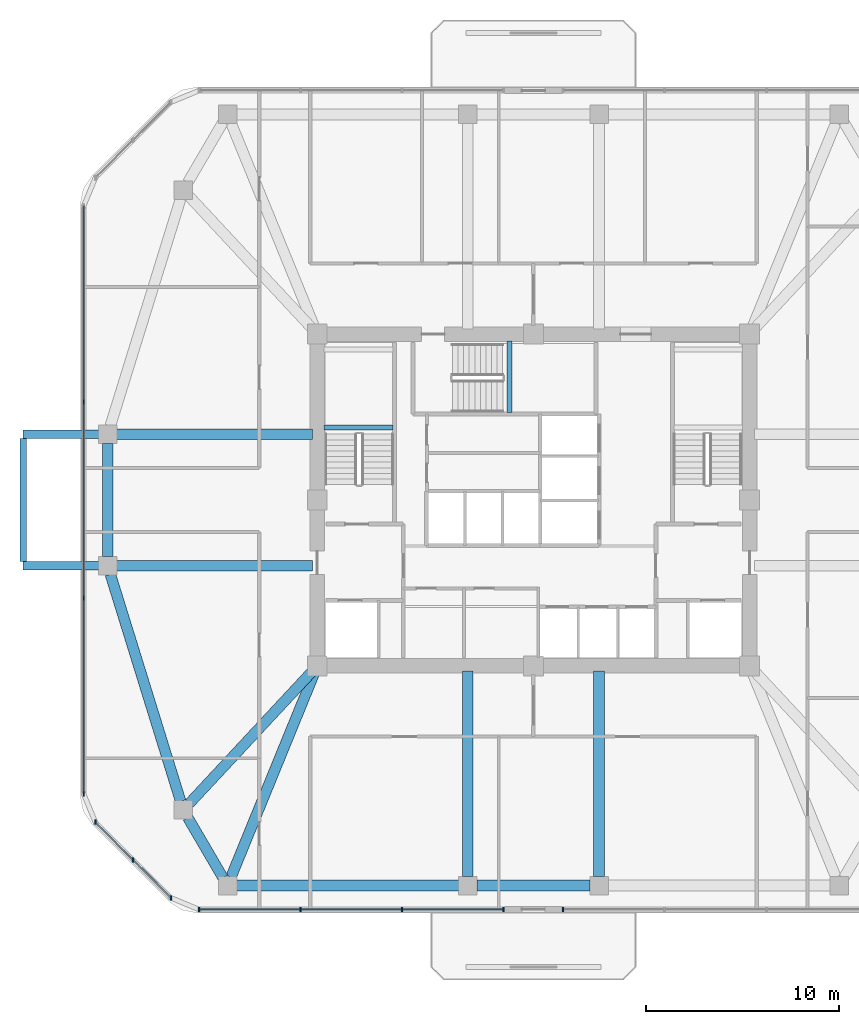
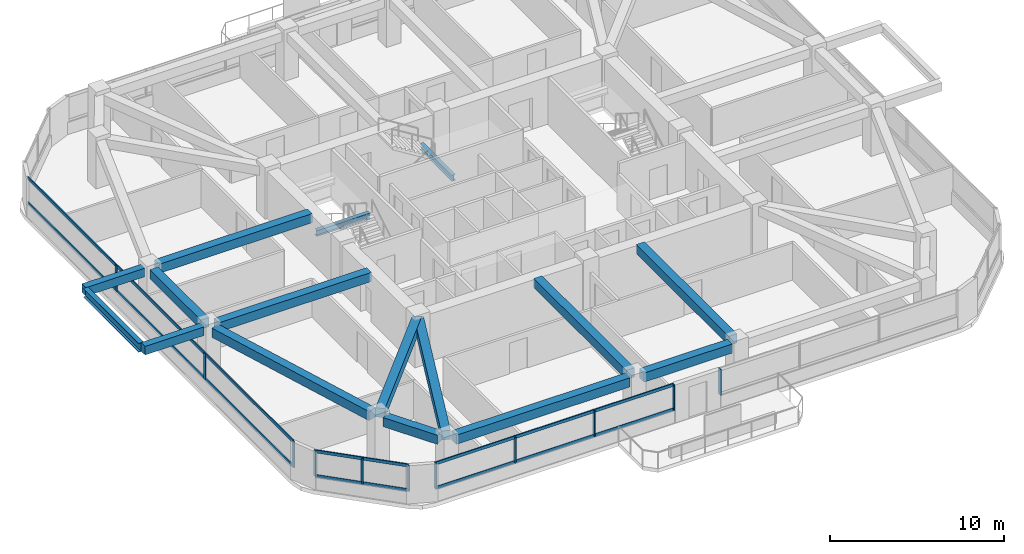
# One storey, part 2 of 11: 17 members, 16 beams, 4 elements without a shape of their own.
"""IFC4 building model written with IfcOpenShell, lengths in metres."""

import ifcopenshell
import ifcopenshell.guid

model = None  # the IFC model being written
_history = None  # IfcOwnerHistory: only IFC2X3 demands one
_inside = {}  # id of a spatial element -> (the spatial element, [elements in it])
_under = {}  # id of a project, library or spatial element -> (it, [spatial elements below it])
_declared = {}  # id of a project -> (the project, [libraries it declares])
_typed = {}  # id of a type object -> (the type object, [elements of that type])
_made_of = {}  # id of a material, layer set ... -> (it, [elements and type objects made of it])


def new_model(schema):
    """Start an empty IFC model of exactly this schema.

    Asked for "IFC4X3", IfcOpenShell would pick the latest addendum, in which some entities
    have other attributes; the version numbers below select the first issue.
    IFC2X3 requires an IfcOwnerHistory on every rooted entity: one is made here for all.
    """
    global model, _history
    if schema == "IFC4X3":
        model = ifcopenshell.file(schema_version=(4, 3, 0, 0))
    else:
        model = ifcopenshell.file(schema=schema)
    _inside.clear()
    _under.clear()
    _declared.clear()
    _typed.clear()
    _made_of.clear()
    _history = None
    if model.schema == "IFC2X3":
        org = make("IfcOrganization", Name="unknown")
        user = make(
            "IfcPersonAndOrganization",
            ThePerson=make("IfcPerson", FamilyName="unknown"),
            TheOrganization=org,
        )
        app = make(
            "IfcApplication",
            ApplicationDeveloper=org,
            Version="unknown",
            ApplicationFullName="unknown",
            ApplicationIdentifier="unknown",
        )
        _history = make(
            "IfcOwnerHistory",
            OwningUser=user,
            OwningApplication=app,
            ChangeAction="ADDED",
            CreationDate=0,
        )
    return model


def make(cls, **values):
    """One entity of the class cls with the attributes given. An attribute that is None is left unset."""
    return model.create_entity(
        cls, **{name: value for name, value in values.items() if value is not None}
    )


def rooted(cls, **values):
    """An entity with a GlobalId (a new one), such as an element, a storey or a relation."""
    return make(cls, GlobalId=ifcopenshell.guid.new(), OwnerHistory=_history, **values)


def si_unit(unit_type, name, prefix=None):
    """IfcSIUnit, for example si_unit("LENGTHUNIT", "METRE", prefix="MILLI")."""
    return make("IfcSIUnit", UnitType=unit_type, Prefix=prefix, Name=name)


def derived_unit(unit_type, elements):
    """IfcDerivedUnit: a product of units, each with its exponent."""
    return make(
        "IfcDerivedUnit",
        Elements=[
            make("IfcDerivedUnitElement", Unit=unit, Exponent=power)
            for unit, power in elements
        ],
        UnitType=unit_type,
    )


def assignment(units):
    """IfcUnitAssignment: the units of a project."""
    return None if units is None else make("IfcUnitAssignment", Units=units)


def point(xyz):
    """IfcCartesianPoint."""
    return None if xyz is None else make("IfcCartesianPoint", Coordinates=xyz)


def direction(xyz):
    """IfcDirection."""
    return None if xyz is None else make("IfcDirection", DirectionRatios=xyz)


def frame(location, z_axis=None, x_axis=None):
    """IfcAxis2Placement3D, a coordinate frame: its origin and axes. An axis left out is left unset."""
    return make(
        "IfcAxis2Placement3D",
        Location=point(location),
        Axis=direction(z_axis),
        RefDirection=direction(x_axis),
    )


def frame_2d(location, x_axis=None):
    """IfcAxis2Placement2D, a coordinate frame in the plane: its origin and x axis."""
    return make(
        "IfcAxis2Placement2D", Location=point(location), RefDirection=direction(x_axis)
    )


def origin():
    """The frame at (0, 0, 0) with its axes left unset."""
    return frame((0.0, 0.0, 0.0))


def origin_2d():
    """The frame at (0, 0) in the plane with its x axis left unset."""
    return frame_2d((0.0, 0.0))


def place(relative_to, where):
    """IfcLocalPlacement: puts the frame where relative to a parent placement (None: the world)."""
    return make(
        "IfcLocalPlacement", PlacementRelTo=relative_to, RelativePlacement=where
    )


def context(
    kind, dimensions, precision=None, world=None, true_north=None, identifier=None
):
    """IfcGeometricRepresentationContext, for example the 3D "Model" context."""
    return make(
        "IfcGeometricRepresentationContext",
        ContextIdentifier=identifier,
        ContextType=kind,
        CoordinateSpaceDimension=dimensions,
        Precision=precision,
        WorldCoordinateSystem=world,
        TrueNorth=true_north,
    )


def subcontext(parent, identifier, kind, view, scale=None):
    """IfcGeometricRepresentationSubContext, for example "Body" below "Model"."""
    return make(
        "IfcGeometricRepresentationSubContext",
        ContextIdentifier=identifier,
        ContextType=kind,
        ParentContext=parent,
        TargetScale=scale,
        TargetView=view,
    )


def project(units=None, contexts=None):
    """IfcProject with its units and contexts."""
    return rooted(
        "IfcProject",
        Name="project",
        RepresentationContexts=contexts,
        UnitsInContext=assignment(units),
    )


def spatial(cls, under=None, at=None, **own):
    """A site, building, storey or space (cls), placed at a placement, below another one or the project."""
    s = rooted(cls, ObjectPlacement=at, **own)
    if under is not None:
        _under.setdefault(under.id(), (under, []))[1].append(s)
    return s


def profile(cls, at=None, kind="AREA", **sizes):
    """A parametric profile (cls). Its sizes go by their IFC names, for example OverallWidth=200.0."""
    return make(cls, ProfileType=kind, Position=at, **sizes)


def rectangle(**sizes):
    """IfcRectangleProfileDef."""
    return profile("IfcRectangleProfileDef", **sizes)


def i_section(**sizes):
    """IfcIShapeProfileDef."""
    return profile("IfcIShapeProfileDef", **sizes)


def extrude(swept, where, along, depth):
    """IfcExtrudedAreaSolid: the profile swept, set in the frame where, extruded along a direction by depth."""
    return make(
        "IfcExtrudedAreaSolid",
        SweptArea=swept,
        Position=where,
        ExtrudedDirection=direction(along),
        Depth=depth,
    )


def shape(context_of_items, identifier, shape_type, items):
    """IfcShapeRepresentation: the items that make up one representation, for example the "Body"."""
    return make(
        "IfcShapeRepresentation",
        ContextOfItems=context_of_items,
        RepresentationIdentifier=identifier,
        RepresentationType=shape_type,
        Items=items,
    )


def material(Name=None, Category=None):
    """IfcMaterial."""
    return make("IfcMaterial", Name=Name, Category=Category)


def material_profile(
    of_material, cross_section, Name=None, Category=None, Priority=None
):
    """IfcMaterialProfile: a cross section and its material."""
    return make(
        "IfcMaterialProfile",
        Name=Name,
        Material=of_material,
        Profile=cross_section,
        Priority=Priority,
        Category=Category,
    )


def profile_set(profiles, Name=None, composite=None):
    """IfcMaterialProfileSet."""
    return make(
        "IfcMaterialProfileSet",
        Name=Name,
        MaterialProfiles=profiles,
        CompositeProfile=composite,
    )


def made_of(thing, what):
    """Note that an element or type object is made of a material, layer set ...; save() writes the relation."""
    if what is not None:
        _made_of.setdefault(what.id(), (what, []))[1].append(thing)
    return thing


def type_object(cls, material=None, **own):
    """A type object (cls), such as IfcWallType, which elements share."""
    return made_of(rooted(cls, **own), material)


def element(
    cls,
    number,
    at=None,
    inside=None,
    cuts=None,
    type_object=None,
    material=None,
    context=None,
    identifier="Body",
    shape_type=None,
    held_by="IfcProductDefinitionShape",
    body=None,
    shapes=None,
    **own,
):
    """One element of the class cls, such as IfcWall. Its Tag is "e" and its number.

    at: its placement. inside: the storey or other place that contains it. cuts: it is an
    opening in that element (IfcRelVoidsElement). A single representation is given by context,
    identifier, shape_type and body (its items); several are given by shapes. held_by: the class
    of the entity that holds the representations. save() writes the other relations.
    """
    e = rooted(cls, Tag="e%d" % number, ObjectPlacement=at, **own)
    if body is not None:
        shapes = [shape(context, identifier, shape_type, body)]
    if shapes is not None:
        e.Representation = make(held_by, Representations=shapes)
    if inside is not None:
        _inside.setdefault(inside.id(), (inside, []))[1].append(e)
    if cuts is not None:
        rooted(
            "IfcRelVoidsElement", RelatingBuildingElement=cuts, RelatedOpeningElement=e
        )
    if type_object is not None:
        _typed.setdefault(type_object.id(), (type_object, []))[1].append(e)
    return made_of(e, material)


def aggregate(whole, parts):
    """IfcRelAggregates: a whole, such as a stair, and the parts it consists of."""
    return rooted("IfcRelAggregates", RelatingObject=whole, RelatedObjects=parts)


def save(model, path):
    """Write the relations noted so far, then the file.

    IfcRelAggregates (storeys below a building ...), IfcRelContainedInSpatialStructure (elements
    in a storey), IfcRelDefinesByType, IfcRelAssociatesMaterial and IfcRelDeclares: one each for
    every whole, place, type object, material and project.
    """
    for whole, parts in _under.values():
        aggregate(whole, parts)
    for where, things in _inside.values():
        rooted(
            "IfcRelContainedInSpatialStructure",
            RelatedElements=things,
            RelatingStructure=where,
        )
    for kind, things in _typed.values():
        rooted("IfcRelDefinesByType", RelatedObjects=things, RelatingType=kind)
    for what, things in _made_of.values():
        rooted("IfcRelAssociatesMaterial", RelatedObjects=things, RelatingMaterial=what)
    for by, libraries in _declared.values():
        rooted("IfcRelDeclares", RelatingContext=by, RelatedDefinitions=libraries)
    model.write(path)


model = new_model("IFC4")

# Units and contexts
model_context = context("Model", 3, precision=1e-05, world=origin(), true_north=direction((0.0, 1.0)))
body_context = subcontext(model_context, "Body", "Model", "MODEL_VIEW")
ifc_project = project(units=[si_unit("LENGTHUNIT", "METRE"), si_unit("AREAUNIT", "SQUARE_METRE"), si_unit("VOLUMEUNIT", "CUBIC_METRE"), si_unit("PLANEANGLEUNIT", "RADIAN"), si_unit("MASSUNIT", "GRAM", prefix="KILO"), derived_unit("THERMALTRANSMITTANCEUNIT", [(si_unit("POWERUNIT", "WATT"), 1), (si_unit("LENGTHUNIT", "METRE"), -2), (si_unit("THERMODYNAMICTEMPERATUREUNIT", "KELVIN"), -1)])], contexts=[model_context])

# Site, building, storey
site_placement = place(None, origin())
site = spatial("IfcSite", under=ifc_project, at=site_placement, CompositionType="ELEMENT")
building_placement = place(site_placement, origin())
building = spatial("IfcBuilding", under=site, at=building_placement, Name="Koralith Skygarden Medical Center", CompositionType="ELEMENT")
storey_placement = place(building_placement, frame((0.0, 0.0, 167.219970703125)))
storey = spatial("IfcBuildingStorey", under=building, at=storey_placement, Name="L43", CompositionType="ELEMENT", Elevation=167.219970703125)

# Curtain wall, members
ifc_material_1 = material(Name="Clear Laminated Glass", Category="glass")
curtain_wall_type = type_object("IfcCurtainWallType", Name="CW-4 Zone 3 Waist High-Wind Curtain Wall", PredefinedType="NOTDEFINED", material=ifc_material_1)
curtain_wall_1_placement = place(storey_placement, origin())
curtain_wall_1 = element("IfcCurtainWall", 1, at=curtain_wall_1_placement, inside=storey, type_object=curtain_wall_type, Name="Curtain Wall CW-L43-S-L", PredefinedType="NOTDEFINED")
ifc_material_2 = material(Name="Aluminium 6063-T6", Category="aluminium")
ifc_material_profile_1 = material_profile(ifc_material_2, rectangle(XDim=0.076904296875, YDim=0.22998046875, at=origin_2d()), Name="MUL77X230")
ifc_profile_set_1 = profile_set([ifc_material_profile_1], Name="Aluminium 6063-T6")
member_type_1 = type_object("IfcMemberType", Name="CW-4 Extruded Mullion 77x230", PredefinedType="MULLION", material=ifc_profile_set_1)
member_1_placement = place(storey_placement, frame((19.6708984375, 4.679931640625, 0.85009765625), z_axis=(0.0, 0.0, 1.0), x_axis=(1.0, 0.0, 0.0)))
member_1 = element("IfcMember", 2, at=member_1_placement, type_object=member_type_1, Name="CW-L43-S-L Mullion 1", PredefinedType="MULLION", context=body_context, shape_type="SweptSolid", body=[
    extrude(rectangle(XDim=0.076904296875, YDim=0.22998046875, at=origin_2d()), origin(), (0.0, 0.0, 1.0), 1.81982421875),
])
member_2_placement = place(storey_placement, frame((24.93408203125, 4.679931640625, 0.85009765625), z_axis=(0.0, 0.0, 1.0), x_axis=(1.0, 0.0, 0.0)))
member_2 = element("IfcMember", 3, at=member_2_placement, type_object=member_type_1, Name="CW-L43-S-L Mullion 2", PredefinedType="MULLION", context=body_context, shape_type="SweptSolid", body=[
    extrude(rectangle(XDim=0.076904296875, YDim=0.22998046875, at=origin_2d()), origin(), (0.0, 0.0, 1.0), 1.81982421875),
])
member_3_placement = place(storey_placement, frame((30.196044921875, 4.679931640625, 0.85009765625), z_axis=(0.0, 0.0, 1.0), x_axis=(1.0, 0.0, 0.0)))
member_3 = element("IfcMember", 4, at=member_3_placement, type_object=member_type_1, Name="CW-L43-S-L Mullion 3", PredefinedType="MULLION", context=body_context, shape_type="SweptSolid", body=[
    extrude(rectangle(XDim=0.076904296875, YDim=0.22998046875, at=origin_2d()), origin(), (0.0, 0.0, 1.0), 1.81982421875),
])
member_4_placement = place(storey_placement, frame((35.458984375, 4.679931640625, 0.85009765625), z_axis=(0.0, 0.0, 1.0), x_axis=(1.0, 0.0, 0.0)))
member_4 = element("IfcMember", 5, at=member_4_placement, type_object=member_type_1, Name="CW-L43-S-L Mullion 4", PredefinedType="MULLION", context=body_context, shape_type="SweptSolid", body=[
    extrude(rectangle(XDim=0.076904296875, YDim=0.22998046875, at=origin_2d()), origin(), (0.0, 0.0, 1.0), 1.81982421875),
])

# Curtain wall, member
curtain_wall_2_placement = place(storey_placement, origin())
curtain_wall_2 = element("IfcCurtainWall", 6, at=curtain_wall_2_placement, inside=storey, type_object=curtain_wall_type, Name="Curtain Wall CW-L43-S-R", PredefinedType="NOTDEFINED")
member_5_placement = place(storey_placement, frame((38.5390625, 4.679931640625, 0.85009765625), z_axis=(0.0, 0.0, 1.0), x_axis=(1.0, 0.0, 0.0)))
member_5 = element("IfcMember", 7, at=member_5_placement, type_object=member_type_1, Name="CW-L43-S-R Mullion 1", PredefinedType="MULLION", context=body_context, shape_type="SweptSolid", body=[
    extrude(rectangle(XDim=0.076904296875, YDim=0.22998046875, at=origin_2d()), origin(), (0.0, 0.0, 1.0), 1.81982421875),
])
aggregate(curtain_wall_2, [member_5])

# Curtain wall, members
curtain_wall_3_placement = place(storey_placement, origin())
curtain_wall_3 = element("IfcCurtainWall", 8, at=curtain_wall_3_placement, inside=storey, type_object=curtain_wall_type, Name="Curtain Wall CW-L43-W", PredefinedType="NOTDEFINED")
member_6_placement = place(storey_placement, frame((13.696044921875, 30.98193359375, 0.85009765625), z_axis=(0.0, 0.0, 1.0), x_axis=(1.0, 0.0, 0.0)))
member_6 = element("IfcMember", 9, at=member_6_placement, type_object=member_type_1, Name="CW-L43-W Mullion 2", PredefinedType="MULLION", context=body_context, shape_type="SweptSolid", body=[
    extrude(rectangle(XDim=0.076904296875, YDim=0.22998046875, at=origin_2d()), origin(), (0.0, 0.0, 1.0), 1.81982421875),
])
member_7_placement = place(storey_placement, frame((13.696044921875, 20.818115234375, 0.85009765625), z_axis=(0.0, 0.0, 1.0), x_axis=(1.0, 0.0, 0.0)))
member_7 = element("IfcMember", 10, at=member_7_placement, type_object=member_type_1, Name="CW-L43-W Mullion 3", PredefinedType="MULLION", context=body_context, shape_type="SweptSolid", body=[
    extrude(rectangle(XDim=0.076904296875, YDim=0.22998046875, at=origin_2d()), origin(), (0.0, 0.0, 1.0), 1.81982421875),
])
member_8_placement = place(storey_placement, frame((13.696044921875, 10.655029296875, 0.85009765625), z_axis=(0.0, 0.0, 1.0), x_axis=(1.0, 0.0, 0.0)))
member_8 = element("IfcMember", 11, at=member_8_placement, type_object=member_type_1, Name="CW-L43-W Mullion 4", PredefinedType="MULLION", context=body_context, shape_type="SweptSolid", body=[
    extrude(rectangle(XDim=0.076904296875, YDim=0.22998046875, at=origin_2d()), origin(), (0.0, 0.0, 1.0), 1.81982421875),
])

curtain_wall_4_placement = place(storey_placement, origin())
curtain_wall_4 = element("IfcCurtainWall", 12, at=curtain_wall_4_placement, inside=storey, type_object=curtain_wall_type, Name="Curtain Wall CW-L43-SW", PredefinedType="NOTDEFINED")
member_9_placement = place(storey_placement, frame((14.297119140625, 9.2041015625, 0.85009765625), z_axis=(0.0, 0.0, 1.0), x_axis=(1.0, 0.0, 0.0)))
member_9 = element("IfcMember", 13, at=member_9_placement, type_object=member_type_1, Name="CW-L43-SW Mullion 1", PredefinedType="MULLION", context=body_context, shape_type="SweptSolid", body=[
    extrude(rectangle(XDim=0.076904296875, YDim=0.22998046875, at=origin_2d()), origin(), (0.0, 0.0, 1.0), 1.81982421875),
])
member_10_placement = place(storey_placement, frame((16.258056640625, 7.241943359375, 0.85009765625), z_axis=(0.0, 0.0, 1.0), x_axis=(1.0, 0.0, 0.0)))
member_10 = element("IfcMember", 14, at=member_10_placement, type_object=member_type_1, Name="CW-L43-SW Mullion 2", PredefinedType="MULLION", context=body_context, shape_type="SweptSolid", body=[
    extrude(rectangle(XDim=0.076904296875, YDim=0.22998046875, at=origin_2d()), origin(), (0.0, 0.0, 1.0), 1.81982421875),
])
member_11_placement = place(storey_placement, frame((18.219970703125, 5.281005859375, 0.85009765625), z_axis=(0.0, 0.0, 1.0), x_axis=(1.0, 0.0, 0.0)))
member_11 = element("IfcMember", 15, at=member_11_placement, type_object=member_type_1, Name="CW-L43-SW Mullion 3", PredefinedType="MULLION", context=body_context, shape_type="SweptSolid", body=[
    extrude(rectangle(XDim=0.076904296875, YDim=0.22998046875, at=origin_2d()), origin(), (0.0, 0.0, 1.0), 1.81982421875),
])

# Member
ifc_material_profile_2 = material_profile(ifc_material_2, rectangle(XDim=0.072021484375, YDim=0.20703125, at=origin_2d()), Name="TRN72X207")
ifc_profile_set_2 = profile_set([ifc_material_profile_2], Name="Aluminium 6063-T6")
member_type_2 = type_object("IfcMemberType", Name="CW-4 Thermal Transom 72x207", PredefinedType="USERDEFINED", material=ifc_profile_set_2)
member_12_placement = place(storey_placement, frame((19.6708984375, 4.679931640625, 0.900146484375), z_axis=(1.0, 0.0, 0.0), x_axis=(0.0, 1.0, 0.0)))
member_12 = element("IfcMember", 16, at=member_12_placement, type_object=member_type_2, Name="CW-L43-S-L Transom 1", ObjectType="TRANSOM", PredefinedType="USERDEFINED", context=body_context, shape_type="SweptSolid", body=[
    extrude(rectangle(XDim=0.072021484375, YDim=0.20703125, at=origin_2d()), origin(), (0.0, 0.0, 1.0), 15.7880859375),
])

member_13_placement = place(storey_placement, frame((19.6708984375, 4.679931640625, 2.6201171875), z_axis=(1.0, 0.0, 0.0), x_axis=(0.0, 1.0, 0.0)))
member_13 = element("IfcMember", 17, at=member_13_placement, type_object=member_type_2, Name="CW-L43-S-L Transom 2", ObjectType="TRANSOM", PredefinedType="USERDEFINED", context=body_context, shape_type="SweptSolid", body=[
    extrude(rectangle(XDim=0.072021484375, YDim=0.20703125, at=origin_2d()), origin(), (0.0, 0.0, 1.0), 15.7880859375),
])

aggregate(curtain_wall_1, [member_1, member_2, member_3, member_4, member_12, member_13])

member_14_placement = place(storey_placement, frame((13.696044921875, 41.14501953125, 0.900146484375), z_axis=(0.0, -1.0, 0.0), x_axis=(1.0, 0.0, 0.0)))
member_14 = element("IfcMember", 18, at=member_14_placement, type_object=member_type_2, Name="CW-L43-W Transom 1", ObjectType="TRANSOM", PredefinedType="USERDEFINED", context=body_context, shape_type="SweptSolid", body=[
    extrude(rectangle(XDim=0.072021484375, YDim=0.20703125, at=origin_2d()), origin(), (0.0, 0.0, 1.0), 30.489990234375),
])

member_15_placement = place(storey_placement, frame((13.696044921875, 41.14501953125, 2.6201171875), z_axis=(0.0, -1.0, 0.0), x_axis=(1.0, 0.0, 0.0)))
member_15 = element("IfcMember", 19, at=member_15_placement, type_object=member_type_2, Name="CW-L43-W Transom 2", ObjectType="TRANSOM", PredefinedType="USERDEFINED", context=body_context, shape_type="SweptSolid", body=[
    extrude(rectangle(XDim=0.072021484375, YDim=0.20703125, at=origin_2d()), origin(), (0.0, 0.0, 1.0), 30.489990234375),
])

aggregate(curtain_wall_3, [member_6, member_7, member_8, member_14, member_15])

member_16_placement = place(storey_placement, frame((14.297119140625, 9.2041015625, 0.900146484375), z_axis=(0.707084777957, -0.707128783731, 0.0), x_axis=(0.707128783731, 0.707084777957, 0.0)))
member_16 = element("IfcMember", 20, at=member_16_placement, type_object=member_type_2, Name="CW-L43-SW Transom 1", ObjectType="TRANSOM", PredefinedType="USERDEFINED", context=body_context, shape_type="SweptSolid", body=[
    extrude(rectangle(XDim=0.072021484375, YDim=0.20703125, at=origin_2d()), origin(), (0.0, 0.0, 1.0), 5.5478515625),
])

member_17_placement = place(storey_placement, frame((14.297119140625, 9.2041015625, 2.6201171875), z_axis=(0.707084777957, -0.707128783731, 0.0), x_axis=(0.707128783731, 0.707084777957, 0.0)))
member_17 = element("IfcMember", 21, at=member_17_placement, type_object=member_type_2, Name="CW-L43-SW Transom 2", ObjectType="TRANSOM", PredefinedType="USERDEFINED", context=body_context, shape_type="SweptSolid", body=[
    extrude(rectangle(XDim=0.072021484375, YDim=0.20703125, at=origin_2d()), origin(), (0.0, 0.0, 1.0), 5.5478515625),
])

aggregate(curtain_wall_4, [member_9, member_10, member_11, member_16, member_17])

# Beams
ifc_material_3 = material(Name="Steel ASTM A992 Grade 50", Category="steel")
ifc_material_profile_3 = material_profile(ifc_material_3, i_section(OverallWidth=0.326904296875, OverallDepth=0.6220703125, WebThickness=0.015380859375, FlangeThickness=0.0244140625, at=origin_2d()), Name="W24X131")
ifc_profile_set_3 = profile_set([ifc_material_profile_3], Name="Steel ASTM A992 Grade 50")
beam_type_1 = type_object("IfcBeamType", Name="Cantilever Tie Beam W24X131", PredefinedType="BEAM", material=ifc_profile_set_3)
beam_1_placement = place(storey_placement, frame((10.555908203125, 22.719970703125, 3.029052734375), z_axis=(0.0, 1.0, 0.0), x_axis=(-1.0, 0.0, 0.0)))
element("IfcBeam", 22, at=beam_1_placement, inside=storey, type_object=beam_type_1, Name="L44 W Balcony Tip Tie Beam", PredefinedType="BEAM", context=body_context, shape_type="SweptSolid", body=[
    extrude(i_section(OverallWidth=0.326904296875, OverallDepth=0.6220703125, WebThickness=0.015380859375, FlangeThickness=0.0244140625, at=origin_2d()), origin(), (0.0, 0.0, 1.0), 6.360107421875),
])
ifc_material_profile_4 = material_profile(ifc_material_3, i_section(OverallWidth=0.260009765625, OverallDepth=0.4150390625, WebThickness=0.010009765625, FlangeThickness=0.016845703125, at=origin_2d()), Name="W16X67")
ifc_profile_set_4 = profile_set([ifc_material_profile_4], Name="Steel ASTM A992 Grade 50")
beam_type_2 = type_object("IfcBeamType", Name="Clinical Floor Joist W16X67", PredefinedType="JOIST", material=ifc_profile_set_4)
beam_2_placement = place(storey_placement, frame((26.155029296875, 29.659912109375, 1.39306640625), z_axis=(1.0, 0.0, 0.0), x_axis=(0.0, 1.0, 0.0)))
element("IfcBeam", 23, at=beam_2_placement, inside=storey, type_object=beam_type_2, Name="L43 Stair ST1 Half-Landing Support Beam 1A", PredefinedType="JOIST", context=body_context, shape_type="SweptSolid", body=[
    extrude(i_section(OverallWidth=0.260009765625, OverallDepth=0.4150390625, WebThickness=0.010009765625, FlangeThickness=0.016845703125, at=origin_2d()), origin(), (0.0, 0.0, 1.0), 3.56494140625),
])
beam_3_placement = place(storey_placement, frame((35.760009765625, 30.43994140625, 1.39306640625), z_axis=(0.0, 1.0, 0.0), x_axis=(-1.0, 0.0, 0.0)))
element("IfcBeam", 24, at=beam_3_placement, inside=storey, type_object=beam_type_2, Name="L43 Stair ST3 Half-Landing Support Beam 1A", PredefinedType="JOIST", context=body_context, shape_type="SweptSolid", body=[
    extrude(i_section(OverallWidth=0.260009765625, OverallDepth=0.4150390625, WebThickness=0.010009765625, FlangeThickness=0.016845703125, at=origin_2d()), origin(), (0.0, 0.0, 1.0), 3.705078125),
])
ifc_material_4 = material(Name="Concrete C45/55", Category="concrete")
ifc_material_profile_5 = material_profile(ifc_material_4, rectangle(XDim=0.449951171875, YDim=0.60009765625, at=origin_2d()), Name="RCB450X600")
ifc_profile_set_5 = profile_set([ifc_material_profile_5], Name="Concrete C45/55")
beam_type_3 = type_object("IfcBeamType", Name="Planted Balcony Cantilever Beam RCB450X600", PredefinedType="BEAM", material=ifc_profile_set_5)
for number, where, z_axis, x_axis, name in (
    (25, (14.47607421875, 22.5, 3.0400390625), (-1.0, 0.0, 0.0), (0.0, -1.0, 0.0), "L44 W Balcony Cantilever Beam A"),
    (26, (14.47607421875, 29.300048828125, 3.0400390625), (-1.0, 0.0, 0.0), (0.0, -1.0, 0.0), "L44 W Balcony Cantilever Beam B"),
):
    element("IfcBeam", number, at=place(storey_placement, frame(where, z_axis=z_axis, x_axis=x_axis)), inside=storey, type_object=beam_type_3, Name=name, PredefinedType="BEAM", context=body_context, shape_type="SweptSolid", body=[
        extrude(rectangle(XDim=0.449951171875, YDim=0.60009765625, at=origin_2d()), origin(), (0.0, 0.0, 1.0), 3.920166015625),
    ])
ifc_material_profile_6 = material_profile(ifc_material_4, rectangle(XDim=0.550048828125, YDim=0.639892578125, at=origin_2d()), Name="RCB550X640")
ifc_profile_set_6 = profile_set([ifc_material_profile_6], Name="Concrete C45/55")
beam_type_4 = type_object("IfcBeamType", Name="Radial Collector Beam RCB550X640", PredefinedType="BEAM", material=ifc_profile_set_6)
beam_4_placement = place(storey_placement, frame((25.550048828125, 22.5, 3.0), z_axis=(-1.0, 0.0, 0.0), x_axis=(0.0, -1.0, 0.0)))
element("IfcBeam", 27, at=beam_4_placement, inside=storey, type_object=beam_type_4, Name="L43 Radial Collector Beam RB-01", PredefinedType="BEAM", context=body_context, shape_type="SweptSolid", body=[
    extrude(rectangle(XDim=0.550048828125, YDim=0.639892578125, at=origin_2d()), origin(), (0.0, 0.0, 1.0), 10.14404296875),
])
beam_5_placement = place(storey_placement, frame((25.6298828125, 17.116943359375, 3.0), z_axis=(-0.681369011591, -0.731940072713, 0.0), x_axis=(0.731940072713, -0.681369011591, 0.0)))
element("IfcBeam", 28, at=beam_5_placement, inside=storey, type_object=beam_type_4, Name="L43 Radial Collector Beam RB-02", PredefinedType="BEAM", context=body_context, shape_type="SweptSolid", body=[
    extrude(rectangle(XDim=0.550048828125, YDim=0.639892578125, at=origin_2d()), origin(), (0.0, 0.0, 1.0), 9.471923828125),
])
beam_6_placement = place(storey_placement, frame((25.705078125, 17.069091796875, 3.0), z_axis=(-0.378344544364, -0.92566484526, 0.0), x_axis=(0.92566484526, -0.378344544364, 0.0)))
element("IfcBeam", 29, at=beam_6_placement, inside=storey, type_object=beam_type_4, Name="L43 Radial Collector Beam RB-03", PredefinedType="BEAM", context=body_context, shape_type="SweptSolid", body=[
    extrude(rectangle(XDim=0.550048828125, YDim=0.639892578125, at=origin_2d()), origin(), (0.0, 0.0, 1.0), 11.574462890625),
])
for number, where, z_axis, x_axis, name in (
    (30, (33.60009765625, 17.050048828125, 3.0), (0.0, -1.0, 0.0), (1.0, 0.0, 0.0), "L43 Radial Collector Beam RB-04"),
    (31, (40.39990234375, 17.050048828125, 3.0), (0.0, -1.0, 0.0), (1.0, 0.0, 0.0), "L43 Radial Collector Beam RB-05"),
):
    element("IfcBeam", number, at=place(storey_placement, frame(where, z_axis=z_axis, x_axis=x_axis)), inside=storey, type_object=beam_type_4, Name=name, PredefinedType="BEAM", context=body_context, shape_type="SweptSolid", body=[
        extrude(rectangle(XDim=0.550048828125, YDim=0.639892578125, at=origin_2d()), origin(), (0.0, 0.0, 1.0), 10.66015625),
    ])
beam_7_placement = place(storey_placement, frame((25.550048828125, 29.300048828125, 3.0), z_axis=(-1.0, 0.0, 0.0), x_axis=(0.0, -1.0, 0.0)))
element("IfcBeam", 32, at=beam_7_placement, inside=storey, type_object=beam_type_4, Name="L43 Radial Collector Beam RB-16", PredefinedType="BEAM", context=body_context, shape_type="SweptSolid", body=[
    extrude(rectangle(XDim=0.550048828125, YDim=0.639892578125, at=origin_2d()), origin(), (0.0, 0.0, 1.0), 10.14404296875),
])
ifc_material_profile_7 = material_profile(ifc_material_4, rectangle(XDim=0.550048828125, YDim=0.639892578125, at=origin_2d()), Name="RCB550X640")
ifc_profile_set_7 = profile_set([ifc_material_profile_7], Name="Concrete C45/55")
beam_type_5 = type_object("IfcBeamType", Name="Zone 2-3 Spandrel Beam RCB550X640", PredefinedType="SPANDREL", material=ifc_profile_set_7)
beam_8_placement = place(storey_placement, frame((15.074951171875, 22.051025390625, 3.0), z_axis=(0.295793585147, -0.955251880389, 0.0), x_axis=(0.955251880389, 0.295793585147, 0.0)))
element("IfcBeam", 33, at=beam_8_placement, inside=storey, type_object=beam_type_5, Name="L43 Perimeter Spandrel Beam SP-01", PredefinedType="SPANDREL", context=body_context, shape_type="SweptSolid", body=[
    extrude(rectangle(XDim=0.550048828125, YDim=0.639892578125, at=origin_2d()), origin(), (0.0, 0.0, 1.0), 12.31298828125),
])
beam_9_placement = place(storey_placement, frame((19.093017578125, 9.43408203125, 3.0), z_axis=(0.504861391295, -0.863200426077, 0.0), x_axis=(0.863200426077, 0.504861391295, 0.0)))
element("IfcBeam", 34, at=beam_9_placement, inside=storey, type_object=beam_type_5, Name="L43 Perimeter Spandrel Beam SP-02", PredefinedType="SPANDREL", context=body_context, shape_type="SweptSolid", body=[
    extrude(rectangle(XDim=0.550048828125, YDim=0.639892578125, at=origin_2d()), origin(), (0.0, 0.0, 1.0), 3.600830078125),
])
beam_10_placement = place(storey_placement, frame((21.617919921875, 5.919921875, 3.0), z_axis=(1.0, 0.0, 0.0), x_axis=(0.0, 1.0, 0.0)))
element("IfcBeam", 35, at=beam_10_placement, inside=storey, type_object=beam_type_5, Name="L43 Perimeter Spandrel Beam SP-03", PredefinedType="SPANDREL", context=body_context, shape_type="SweptSolid", body=[
    extrude(rectangle(XDim=0.550048828125, YDim=0.639892578125, at=origin_2d()), origin(), (0.0, 0.0, 1.0), 11.511962890625),
])
beam_11_placement = place(storey_placement, frame((34.070068359375, 5.919921875, 3.0), z_axis=(1.0, 0.0, 0.0), x_axis=(0.0, 1.0, 0.0)))
element("IfcBeam", 36, at=beam_11_placement, inside=storey, type_object=beam_type_5, Name="L43 Perimeter Spandrel Beam SP-04", PredefinedType="SPANDREL", context=body_context, shape_type="SweptSolid", body=[
    extrude(rectangle(XDim=0.550048828125, YDim=0.639892578125, at=origin_2d()), origin(), (0.0, 0.0, 1.0), 5.85986328125),
])
beam_12_placement = place(storey_placement, frame((14.93603515625, 28.830078125, 3.0), z_axis=(0.0, -1.0, 0.0), x_axis=(1.0, 0.0, 0.0)))
element("IfcBeam", 37, at=beam_12_placement, inside=storey, type_object=beam_type_5, Name="L43 Perimeter Spandrel Beam SP-16", PredefinedType="SPANDREL", context=body_context, shape_type="SweptSolid", body=[
    extrude(rectangle(XDim=0.550048828125, YDim=0.639892578125, at=origin_2d()), origin(), (0.0, 0.0, 1.0), 5.860107421875),
])

save(model, "model.ifc")
